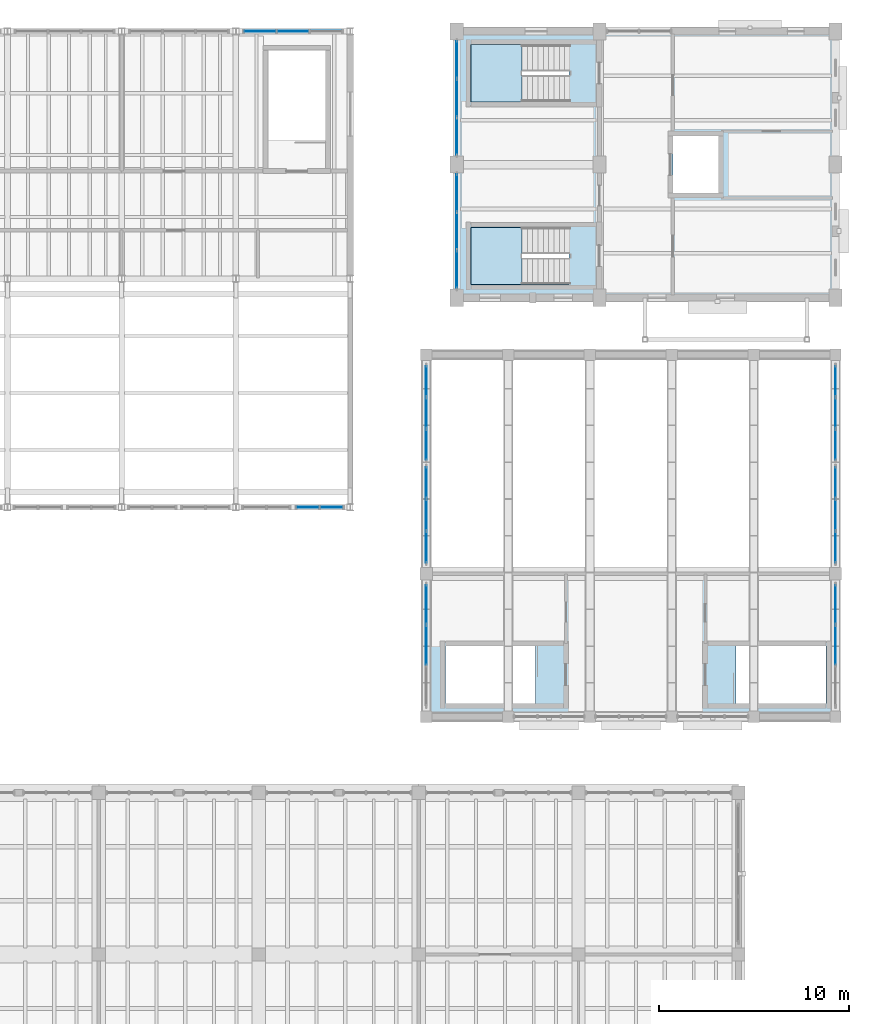
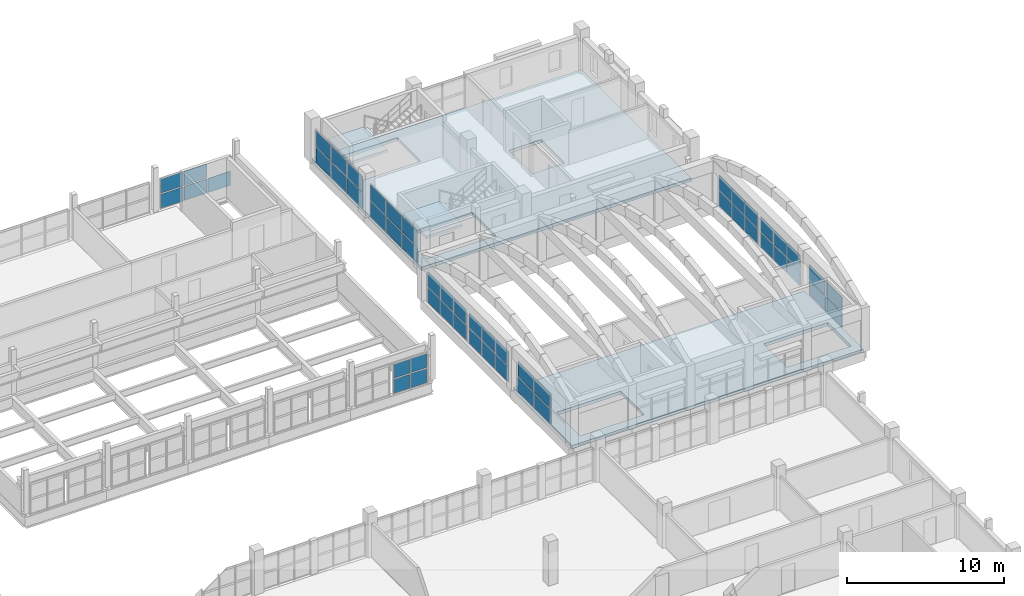
# One storey, part 55 of 77: 53 plates, 4 slabs, 12 elements without a shape of their own.
"""IFC4 building model written with IfcOpenShell, lengths in metres."""

from ifc_helpers import new_model, si_unit, direction, frame, origin, origin_2d, place, context, subcontext, project, spatial, polyline, rectangle, outline, extrude, material, layer, layer_set, type_object, element, aggregate, save


model = new_model("IFC4")

# Units and contexts
model_context = context("Model", 3, precision=1e-05, world=origin(), true_north=direction((0.0, 1.0)))
body_context = subcontext(model_context, "Body", "Model", "MODEL_VIEW")
ifc_project = project(units=[si_unit("LENGTHUNIT", "METRE"), si_unit("AREAUNIT", "SQUARE_METRE"), si_unit("VOLUMEUNIT", "CUBIC_METRE"), si_unit("PLANEANGLEUNIT", "RADIAN"), si_unit("MASSUNIT", "GRAM", prefix="KILO")], contexts=[model_context])

# Site, building, storey
site_placement = place(None, origin())
site = spatial("IfcSite", under=ifc_project, at=site_placement, CompositionType="ELEMENT")
building_placement = place(site_placement, origin())
building = spatial("IfcBuilding", under=site, at=building_placement, Name="Trellovar Central Fire Station", CompositionType="ELEMENT")
storey_placement = place(building_placement, frame((0.0, 0.0, 5.85009765625)))
storey = spatial("IfcBuildingStorey", under=building, at=storey_placement, Name="L02", CompositionType="ELEMENT", Elevation=5.85009765625)

# Curtain wall, plate
ifc_material_1 = material(Name="Thermally broken bronze anodized aluminum", Category="aluminium")
ifc_layer_1 = layer(ifc_material_1, 0.159912109375)
ifc_layer_set_1 = layer_set([ifc_layer_1], Name="Thermally broken bronze anodized aluminum")
curtain_wall_type_1 = type_object("IfcCurtainWallType", Name="CW-13", PredefinedType="NOTDEFINED", material=ifc_layer_set_1)
curtain_wall_1_placement = place(storey_placement, origin())
curtain_wall_1 = element("IfcCurtainWall", 1, at=curtain_wall_1_placement, inside=storey, type_object=curtain_wall_type_1, Name="V6 L02 north clerestory 5", PredefinedType="NOTDEFINED")
ifc_material_2 = material(Name="Double low-E solar control insulated glazing", Category="glass")
ifc_layer_2 = layer(ifc_material_2, 0.031982421875)
ifc_layer_set_2 = layer_set([ifc_layer_2], Name="Double low-E solar control insulated glazing")
plate_type_1 = type_object("IfcPlateType", Name="CWP-GL1", PredefinedType="CURTAIN_PANEL", material=ifc_layer_set_2)
plate_1_placement = place(storey_placement, frame((132.5, 73.0, 1.2138671875), z_axis=(0.0, 0.0, 1.0), x_axis=(-1.0, 0.0, 0.0)))
plate_1 = element("IfcPlate", 2, at=plate_1_placement, type_object=plate_type_1, Name="CW3-L02-0138 panel 2-2", PredefinedType="CURTAIN_PANEL", context=body_context, shape_type="SweptSolid", body=[
    extrude(rectangle(XDim=1.6533203125, YDim=0.031982421875, at=origin_2d()), origin(), (0.0, 0.0, 1.0), 1.093994140625),
])

curtain_wall_2_placement = place(storey_placement, origin())
curtain_wall_2 = element("IfcCurtainWall", 3, at=curtain_wall_2_placement, inside=storey, type_object=curtain_wall_type_1, Name="V3 L02 W auditorium clerestory S", PredefinedType="NOTDEFINED")
plate_2_placement = place(storey_placement, frame((139.5, 49.300048828125, 1.264892578125), z_axis=(0.0, 0.0, 1.0), x_axis=(0.0, 1.0, 0.0)))
plate_2 = element("IfcPlate", 4, at=plate_2_placement, type_object=plate_type_1, Name="CW3-L02-0149 panel 3-2", PredefinedType="CURTAIN_PANEL", context=body_context, shape_type="SweptSolid", body=[
    extrude(rectangle(XDim=1.6201171875, YDim=0.031982421875, at=origin_2d()), origin(), (0.0, 0.0, 1.0), 1.14501953125),
])

curtain_wall_3_placement = place(storey_placement, origin())
curtain_wall_3 = element("IfcCurtainWall", 5, at=curtain_wall_3_placement, inside=storey, type_object=curtain_wall_type_1, Name="V3 L02 W auditorium clerestory N", PredefinedType="NOTDEFINED")
plate_3_placement = place(storey_placement, frame((139.5, 52.949951171875, 1.264892578125), z_axis=(0.0, 0.0, 1.0), x_axis=(0.0, 1.0, 0.0)))
plate_3 = element("IfcPlate", 6, at=plate_3_placement, type_object=plate_type_1, Name="CW3-L02-0150 panel 2-2", PredefinedType="CURTAIN_PANEL", context=body_context, shape_type="SweptSolid", body=[
    extrude(rectangle(XDim=1.586669921875, YDim=0.031982421875, at=origin_2d()), origin(), (0.0, 0.0, 1.0), 1.14501953125),
])

curtain_wall_4_placement = place(storey_placement, origin())
curtain_wall_4 = element("IfcCurtainWall", 7, at=curtain_wall_4_placement, inside=storey, type_object=curtain_wall_type_1, Name="V3 L02 E auditorium clerestory N", PredefinedType="NOTDEFINED")
plate_4_placement = place(storey_placement, frame((161.0, 54.61669921875, 1.264892578125), z_axis=(0.0, 0.0, 1.0), x_axis=(0.0, 1.0, 0.0)))
plate_4 = element("IfcPlate", 8, at=plate_4_placement, type_object=plate_type_1, Name="CW3-L02-0153 panel 3-2", PredefinedType="CURTAIN_PANEL", context=body_context, shape_type="SweptSolid", body=[
    extrude(rectangle(XDim=1.586669921875, YDim=0.031982421875, at=origin_2d()), origin(), (0.0, 0.0, 1.0), 1.14501953125),
])

ifc_material_3 = material(Name="Thermally broken bronze anodized aluminum", Category="aluminium")
ifc_layer_3 = layer(ifc_material_3, 0.159912109375)
ifc_layer_set_3 = layer_set([ifc_layer_3], Name="Thermally broken bronze anodized aluminum")
curtain_wall_type_2 = type_object("IfcCurtainWallType", Name="CW-07", PredefinedType="NOTDEFINED", material=ifc_layer_set_3)
curtain_wall_5_placement = place(storey_placement, origin())
curtain_wall_5 = element("IfcCurtainWall", 9, at=curtain_wall_5_placement, inside=storey, type_object=curtain_wall_type_2, Name="V2 L02 west drill yard curtain wall", PredefinedType="NOTDEFINED")
plate_5_placement = place(storey_placement, frame((141.10009765625, 64.513427734375, 1.31494140625), z_axis=(0.0, 0.0, 1.0), x_axis=(0.0, 1.0, 0.0)))
plate_5 = element("IfcPlate", 10, at=plate_5_placement, type_object=plate_type_1, Name="CW3-L02-0157 panel 3-2", PredefinedType="CURTAIN_PANEL", context=body_context, shape_type="SweptSolid", body=[
    extrude(rectangle(XDim=1.933349609375, YDim=0.031982421875, at=origin_2d()), origin(), (0.0, 0.0, 1.0), 1.195068359375),
])

curtain_wall_6_placement = place(storey_placement, origin())
curtain_wall_6 = element("IfcCurtainWall", 11, at=curtain_wall_6_placement, inside=storey, type_object=curtain_wall_type_2, Name="V2 L02 west drill yard curtain wall", PredefinedType="NOTDEFINED")
plate_6_placement = place(storey_placement, frame((141.10009765625, 69.5, 1.31494140625), z_axis=(0.0, 0.0, 1.0), x_axis=(0.0, 1.0, 0.0)))
plate_6 = element("IfcPlate", 12, at=plate_6_placement, type_object=plate_type_1, Name="CW3-L02-0158 panel 2-2", PredefinedType="CURTAIN_PANEL", context=body_context, shape_type="SweptSolid", body=[
    extrude(rectangle(XDim=1.933349609375, YDim=0.031982421875, at=origin_2d()), origin(), (0.0, 0.0, 1.0), 1.195068359375),
])

# Plate
ifc_material_4 = material(Name="Double low-E solar control insulated glazing", Category="glass")
ifc_layer_4 = layer(ifc_material_4, 0.035888671875)
ifc_layer_set_4 = layer_set([ifc_layer_4], Name="Double low-E solar control insulated glazing")
plate_type_2 = type_object("IfcPlateType", Name="CWP-GL2", PredefinedType="CURTAIN_PANEL", material=ifc_layer_set_4)
plate_7_placement = place(storey_placement, frame((130.7666015625, 73.0, 1.2138671875), z_axis=(0.0, 0.0, 1.0), x_axis=(-1.0, 0.0, 0.0)))
plate_7 = element("IfcPlate", 13, at=plate_7_placement, type_object=plate_type_2, Name="CW3-L02-0138 panel 3-2", PredefinedType="CURTAIN_PANEL", context=body_context, shape_type="SweptSolid", body=[
    extrude(rectangle(XDim=1.6533203125, YDim=0.035888671875, at=origin_2d()), origin(), (0.0, 0.0, 1.0), 1.093994140625),
])

plate_8_placement = place(storey_placement, frame((139.5, 54.61669921875, 1.264892578125), z_axis=(0.0, 0.0, 1.0), x_axis=(0.0, 1.0, 0.0)))
plate_8 = element("IfcPlate", 14, at=plate_8_placement, type_object=plate_type_2, Name="CW3-L02-0150 panel 3-2", PredefinedType="CURTAIN_PANEL", context=body_context, shape_type="SweptSolid", body=[
    extrude(rectangle(XDim=1.586669921875, YDim=0.035888671875, at=origin_2d()), origin(), (0.0, 0.0, 1.0), 1.14501953125),
])

# Curtain wall, plate
ifc_material_5 = material(Name="Thermally broken bronze anodized aluminum", Category="aluminium")
ifc_layer_5 = layer(ifc_material_5, 0.159912109375)
ifc_layer_set_5 = layer_set([ifc_layer_5], Name="Thermally broken bronze anodized aluminum")
curtain_wall_type_3 = type_object("IfcCurtainWallType", Name="CW-12", PredefinedType="NOTDEFINED", material=ifc_layer_set_5)
curtain_wall_7_placement = place(storey_placement, origin())
curtain_wall_7 = element("IfcCurtainWall", 15, at=curtain_wall_7_placement, inside=storey, type_object=curtain_wall_type_3, Name="V3 L02 E gallery CW", PredefinedType="NOTDEFINED")
plate_9_placement = place(storey_placement, frame((161.0, 40.75, 1.264892578125), z_axis=(0.0, 0.0, 1.0), x_axis=(0.0, 1.0, 0.0)))
plate_9 = element("IfcPlate", 16, at=plate_9_placement, type_object=plate_type_2, Name="CW3-L02-0151 panel 2-2", PredefinedType="CURTAIN_PANEL", context=body_context, shape_type="SweptSolid", body=[
    extrude(rectangle(XDim=2.053466796875, YDim=0.035888671875, at=origin_2d()), origin(), (0.0, 0.0, 1.0), 1.14501953125),
])

curtain_wall_8_placement = place(storey_placement, origin())
curtain_wall_8 = element("IfcCurtainWall", 17, at=curtain_wall_8_placement, inside=storey, type_object=curtain_wall_type_1, Name="V3 L02 E auditorium clerestory S", PredefinedType="NOTDEFINED")
plate_10_placement = place(storey_placement, frame((161.0, 45.89990234375, 1.264892578125), z_axis=(0.0, 0.0, 1.0), x_axis=(0.0, 1.0, 0.0)))
plate_10 = element("IfcPlate", 18, at=plate_10_placement, type_object=plate_type_2, Name="CW3-L02-0152 panel 1-2", PredefinedType="CURTAIN_PANEL", context=body_context, shape_type="SweptSolid", body=[
    extrude(rectangle(XDim=1.6201171875, YDim=0.035888671875, at=origin_2d()), origin(), (0.0, 0.0, 1.0), 1.14501953125),
])

# Plate
plate_11_placement = place(storey_placement, frame((141.10009765625, 71.513427734375, 1.31494140625), z_axis=(0.0, 0.0, 1.0), x_axis=(0.0, 1.0, 0.0)))
plate_11 = element("IfcPlate", 19, at=plate_11_placement, type_object=plate_type_2, Name="CW3-L02-0158 panel 3-2", PredefinedType="CURTAIN_PANEL", context=body_context, shape_type="SweptSolid", body=[
    extrude(rectangle(XDim=1.933349609375, YDim=0.035888671875, at=origin_2d()), origin(), (0.0, 0.0, 1.0), 1.195068359375),
])

# Curtain wall, plate
ifc_material_6 = material(Name="Thermally broken bronze anodized aluminum", Category="aluminium")
ifc_layer_6 = layer(ifc_material_6, 0.159912109375)
ifc_layer_set_6 = layer_set([ifc_layer_6], Name="Thermally broken bronze anodized aluminum")
curtain_wall_type_4 = type_object("IfcCurtainWallType", Name="CW-08", PredefinedType="NOTDEFINED", material=ifc_layer_set_6)
curtain_wall_9_placement = place(storey_placement, origin())
curtain_wall_9 = element("IfcCurtainWall", 20, at=curtain_wall_9_placement, inside=storey, type_object=curtain_wall_type_4, Name="V6 workshop upper clerestory 5B", PredefinedType="NOTDEFINED")
ifc_material_7 = material(Name="Double low-E solar control insulated glazing", Category="glass")
ifc_layer_7 = layer(ifc_material_7, 0.033935546875)
ifc_layer_set_7 = layer_set([ifc_layer_7], Name="Double low-E solar control insulated glazing")
plate_type_3 = type_object("IfcPlateType", Name="CWP-GL3", PredefinedType="CURTAIN_PANEL", material=ifc_layer_set_7)
plate_12_placement = place(storey_placement, frame((133.27490234375, 48.0, 0.96484375), z_axis=(0.0, 0.0, 1.0), x_axis=(1.0, 0.0, 0.0)))
plate_12 = element("IfcPlate", 21, at=plate_12_placement, type_object=plate_type_3, Name="CW3-L02-0137 panel 1-2", PredefinedType="CURTAIN_PANEL", context=body_context, shape_type="SweptSolid", body=[
    extrude(rectangle(XDim=1.169921875, YDim=0.033935546875, at=origin_2d()), origin(), (0.0, 0.0, 1.0), 1.094970703125),
])

curtain_wall_10_placement = place(storey_placement, origin())
curtain_wall_10 = element("IfcCurtainWall", 22, at=curtain_wall_10_placement, inside=storey, type_object=curtain_wall_type_3, Name="V3 L02 W gallery CW", PredefinedType="NOTDEFINED")
plate_13_placement = place(storey_placement, frame((139.5, 40.75, 1.264892578125), z_axis=(0.0, 0.0, 1.0), x_axis=(0.0, 1.0, 0.0)))
plate_13 = element("IfcPlate", 23, at=plate_13_placement, type_object=plate_type_3, Name="CW3-L02-0148 panel 2-2", PredefinedType="CURTAIN_PANEL", context=body_context, shape_type="SweptSolid", body=[
    extrude(rectangle(XDim=2.053466796875, YDim=0.033935546875, at=origin_2d()), origin(), (0.0, 0.0, 1.0), 1.14501953125),
])

# Plate
plate_14_placement = place(storey_placement, frame((139.5, 45.89990234375, 1.264892578125), z_axis=(0.0, 0.0, 1.0), x_axis=(0.0, 1.0, 0.0)))
plate_14 = element("IfcPlate", 24, at=plate_14_placement, type_object=plate_type_3, Name="CW3-L02-0149 panel 1-2", PredefinedType="CURTAIN_PANEL", context=body_context, shape_type="SweptSolid", body=[
    extrude(rectangle(XDim=1.6201171875, YDim=0.033935546875, at=origin_2d()), origin(), (0.0, 0.0, 1.0), 1.14501953125),
])

plate_15_placement = place(storey_placement, frame((161.0, 42.88330078125, 1.264892578125), z_axis=(0.0, 0.0, 1.0), x_axis=(0.0, 1.0, 0.0)))
plate_15 = element("IfcPlate", 25, at=plate_15_placement, type_object=plate_type_3, Name="CW3-L02-0151 panel 3-2", PredefinedType="CURTAIN_PANEL", context=body_context, shape_type="SweptSolid", body=[
    extrude(rectangle(XDim=2.05322265625, YDim=0.033935546875, at=origin_2d()), origin(), (0.0, 0.0, 1.0), 1.14501953125),
])

plate_16_placement = place(storey_placement, frame((161.0, 47.60009765625, 1.264892578125), z_axis=(0.0, 0.0, 1.0), x_axis=(0.0, 1.0, 0.0)))
plate_16 = element("IfcPlate", 26, at=plate_16_placement, type_object=plate_type_3, Name="CW3-L02-0152 panel 2-2", PredefinedType="CURTAIN_PANEL", context=body_context, shape_type="SweptSolid", body=[
    extrude(rectangle(XDim=1.6201171875, YDim=0.033935546875, at=origin_2d()), origin(), (0.0, 0.0, 1.0), 1.14501953125),
])

plate_17_placement = place(storey_placement, frame((161.0, 51.283447265625, 1.264892578125), z_axis=(0.0, 0.0, 1.0), x_axis=(0.0, 1.0, 0.0)))
plate_17 = element("IfcPlate", 27, at=plate_17_placement, type_object=plate_type_3, Name="CW3-L02-0153 panel 1-2", PredefinedType="CURTAIN_PANEL", context=body_context, shape_type="SweptSolid", body=[
    extrude(rectangle(XDim=1.586669921875, YDim=0.033935546875, at=origin_2d()), origin(), (0.0, 0.0, 1.0), 1.14501953125),
])

plate_18_placement = place(storey_placement, frame((141.10009765625, 60.486572265625, 1.31494140625), z_axis=(0.0, 0.0, 1.0), x_axis=(0.0, 1.0, 0.0)))
plate_18 = element("IfcPlate", 28, at=plate_18_placement, type_object=plate_type_3, Name="CW3-L02-0157 panel 1-2", PredefinedType="CURTAIN_PANEL", context=body_context, shape_type="SweptSolid", body=[
    extrude(rectangle(XDim=1.933349609375, YDim=0.033935546875, at=origin_2d()), origin(), (0.0, 0.0, 1.0), 1.195068359375),
])

ifc_material_8 = material(Name="Double low-E solar control insulated glazing", Category="glass")
ifc_layer_8 = layer(ifc_material_8, 0.030029296875)
ifc_layer_set_8 = layer_set([ifc_layer_8], Name="Double low-E solar control insulated glazing")
plate_type_4 = type_object("IfcPlateType", Name="CWP-GL4", PredefinedType="CURTAIN_PANEL", material=ifc_layer_set_8)
plate_19_placement = place(storey_placement, frame((134.52490234375, 48.0, 0.96484375), z_axis=(0.0, 0.0, 1.0), x_axis=(1.0, 0.0, 0.0)))
plate_19 = element("IfcPlate", 29, at=plate_19_placement, type_object=plate_type_4, Name="CW3-L02-0137 panel 2-2", PredefinedType="CURTAIN_PANEL", context=body_context, shape_type="SweptSolid", body=[
    extrude(rectangle(XDim=1.169921875, YDim=0.030029296875, at=origin_2d()), origin(), (0.0, 0.0, 1.0), 1.094970703125),
])

plate_20_placement = place(storey_placement, frame((139.5, 42.88330078125, 1.264892578125), z_axis=(0.0, 0.0, 1.0), x_axis=(0.0, 1.0, 0.0)))
plate_20 = element("IfcPlate", 30, at=plate_20_placement, type_object=plate_type_4, Name="CW3-L02-0148 panel 3-2", PredefinedType="CURTAIN_PANEL", context=body_context, shape_type="SweptSolid", body=[
    extrude(rectangle(XDim=2.05322265625, YDim=0.030029296875, at=origin_2d()), origin(), (0.0, 0.0, 1.0), 1.14501953125),
])

plate_21_placement = place(storey_placement, frame((139.5, 47.60009765625, 1.264892578125), z_axis=(0.0, 0.0, 1.0), x_axis=(0.0, 1.0, 0.0)))
plate_21 = element("IfcPlate", 31, at=plate_21_placement, type_object=plate_type_4, Name="CW3-L02-0149 panel 2-2", PredefinedType="CURTAIN_PANEL", context=body_context, shape_type="SweptSolid", body=[
    extrude(rectangle(XDim=1.6201171875, YDim=0.030029296875, at=origin_2d()), origin(), (0.0, 0.0, 1.0), 1.14501953125),
])

plate_22_placement = place(storey_placement, frame((139.5, 51.283447265625, 1.264892578125), z_axis=(0.0, 0.0, 1.0), x_axis=(0.0, 1.0, 0.0)))
plate_22 = element("IfcPlate", 32, at=plate_22_placement, type_object=plate_type_4, Name="CW3-L02-0150 panel 1-2", PredefinedType="CURTAIN_PANEL", context=body_context, shape_type="SweptSolid", body=[
    extrude(rectangle(XDim=1.586669921875, YDim=0.030029296875, at=origin_2d()), origin(), (0.0, 0.0, 1.0), 1.14501953125),
])

plate_23_placement = place(storey_placement, frame((161.0, 49.300048828125, 1.264892578125), z_axis=(0.0, 0.0, 1.0), x_axis=(0.0, 1.0, 0.0)))
plate_23 = element("IfcPlate", 33, at=plate_23_placement, type_object=plate_type_4, Name="CW3-L02-0152 panel 3-2", PredefinedType="CURTAIN_PANEL", context=body_context, shape_type="SweptSolid", body=[
    extrude(rectangle(XDim=1.6201171875, YDim=0.030029296875, at=origin_2d()), origin(), (0.0, 0.0, 1.0), 1.14501953125),
])

plate_24_placement = place(storey_placement, frame((161.0, 52.949951171875, 1.264892578125), z_axis=(0.0, 0.0, 1.0), x_axis=(0.0, 1.0, 0.0)))
plate_24 = element("IfcPlate", 34, at=plate_24_placement, type_object=plate_type_4, Name="CW3-L02-0153 panel 2-2", PredefinedType="CURTAIN_PANEL", context=body_context, shape_type="SweptSolid", body=[
    extrude(rectangle(XDim=1.586669921875, YDim=0.030029296875, at=origin_2d()), origin(), (0.0, 0.0, 1.0), 1.14501953125),
])

plate_25_placement = place(storey_placement, frame((141.10009765625, 62.5, 1.31494140625), z_axis=(0.0, 0.0, 1.0), x_axis=(0.0, 1.0, 0.0)))
plate_25 = element("IfcPlate", 35, at=plate_25_placement, type_object=plate_type_4, Name="CW3-L02-0157 panel 2-2", PredefinedType="CURTAIN_PANEL", context=body_context, shape_type="SweptSolid", body=[
    extrude(rectangle(XDim=1.933349609375, YDim=0.030029296875, at=origin_2d()), origin(), (0.0, 0.0, 1.0), 1.195068359375),
])

plate_26_placement = place(storey_placement, frame((141.10009765625, 67.486572265625, 1.31494140625), z_axis=(0.0, 0.0, 1.0), x_axis=(0.0, 1.0, 0.0)))
plate_26 = element("IfcPlate", 36, at=plate_26_placement, type_object=plate_type_4, Name="CW3-L02-0158 panel 1-2", PredefinedType="CURTAIN_PANEL", context=body_context, shape_type="SweptSolid", body=[
    extrude(rectangle(XDim=1.933349609375, YDim=0.030029296875, at=origin_2d()), origin(), (0.0, 0.0, 1.0), 1.195068359375),
])

ifc_material_9 = material(Name="Glazed ceramic trencadis and terracotta panel", Category="masonry")
ifc_layer_9 = layer(ifc_material_9, 0.048095703125)
ifc_layer_set_9 = layer_set([ifc_layer_9], Name="Glazed ceramic trencadis and terracotta panel")
plate_type_5 = type_object("IfcPlateType", Name="CWP-SP1", PredefinedType="CURTAIN_PANEL", material=ifc_layer_set_9)
plate_27_placement = place(storey_placement, frame((134.52490234375, 48.0, -0.2099609375), z_axis=(0.0, 0.0, 1.0), x_axis=(1.0, 0.0, 0.0)))
plate_27 = element("IfcPlate", 37, at=plate_27_placement, type_object=plate_type_5, Name="CW3-L02-0137 panel 2-1", PredefinedType="CURTAIN_PANEL", context=body_context, shape_type="SweptSolid", body=[
    extrude(rectangle(XDim=1.169921875, YDim=0.048095703125, at=origin_2d()), origin(), (0.0, 0.0, 1.0), 1.094970703125),
])

plate_28_placement = place(storey_placement, frame((134.2333984375, 73.0, 0.0400390625), z_axis=(0.0, 0.0, 1.0), x_axis=(-1.0, 0.0, 0.0)))
plate_28 = element("IfcPlate", 38, at=plate_28_placement, type_object=plate_type_5, Name="CW3-L02-0138 panel 1-1", PredefinedType="CURTAIN_PANEL", context=body_context, shape_type="SweptSolid", body=[
    extrude(rectangle(XDim=1.6533203125, YDim=0.048095703125, at=origin_2d()), origin(), (0.0, 0.0, 1.0), 1.093994140625),
])

plate_29_placement = place(storey_placement, frame((130.7666015625, 73.0, 0.0400390625), z_axis=(0.0, 0.0, 1.0), x_axis=(-1.0, 0.0, 0.0)))
plate_29 = element("IfcPlate", 39, at=plate_29_placement, type_object=plate_type_5, Name="CW3-L02-0138 panel 3-1", PredefinedType="CURTAIN_PANEL", context=body_context, shape_type="SweptSolid", body=[
    extrude(rectangle(XDim=1.6533203125, YDim=0.048095703125, at=origin_2d()), origin(), (0.0, 0.0, 1.0), 1.093994140625),
])

plate_30_placement = place(storey_placement, frame((139.5, 42.88330078125, 0.039794921875), z_axis=(0.0, 0.0, 1.0), x_axis=(0.0, 1.0, 0.0)))
plate_30 = element("IfcPlate", 40, at=plate_30_placement, type_object=plate_type_5, Name="CW3-L02-0148 panel 3-1", PredefinedType="CURTAIN_PANEL", context=body_context, shape_type="SweptSolid", body=[
    extrude(rectangle(XDim=2.05322265625, YDim=0.048095703125, at=origin_2d()), origin(), (0.0, 0.0, 1.0), 1.14501953125),
])

plate_31_placement = place(storey_placement, frame((139.5, 47.60009765625, 0.039794921875), z_axis=(0.0, 0.0, 1.0), x_axis=(0.0, 1.0, 0.0)))
plate_31 = element("IfcPlate", 41, at=plate_31_placement, type_object=plate_type_5, Name="CW3-L02-0149 panel 2-1", PredefinedType="CURTAIN_PANEL", context=body_context, shape_type="SweptSolid", body=[
    extrude(rectangle(XDim=1.6201171875, YDim=0.048095703125, at=origin_2d()), origin(), (0.0, 0.0, 1.0), 1.14501953125),
])

plate_32_placement = place(storey_placement, frame((139.5, 51.283447265625, 0.039794921875), z_axis=(0.0, 0.0, 1.0), x_axis=(0.0, 1.0, 0.0)))
plate_32 = element("IfcPlate", 42, at=plate_32_placement, type_object=plate_type_5, Name="CW3-L02-0150 panel 1-1", PredefinedType="CURTAIN_PANEL", context=body_context, shape_type="SweptSolid", body=[
    extrude(rectangle(XDim=1.586669921875, YDim=0.048095703125, at=origin_2d()), origin(), (0.0, 0.0, 1.0), 1.14501953125),
])

plate_33_placement = place(storey_placement, frame((139.5, 54.61669921875, 0.039794921875), z_axis=(0.0, 0.0, 1.0), x_axis=(0.0, 1.0, 0.0)))
plate_33 = element("IfcPlate", 43, at=plate_33_placement, type_object=plate_type_5, Name="CW3-L02-0150 panel 3-1", PredefinedType="CURTAIN_PANEL", context=body_context, shape_type="SweptSolid", body=[
    extrude(rectangle(XDim=1.586669921875, YDim=0.048095703125, at=origin_2d()), origin(), (0.0, 0.0, 1.0), 1.14501953125),
])

plate_34_placement = place(storey_placement, frame((161.0, 40.75, 0.039794921875), z_axis=(0.0, 0.0, 1.0), x_axis=(0.0, 1.0, 0.0)))
plate_34 = element("IfcPlate", 44, at=plate_34_placement, type_object=plate_type_5, Name="CW3-L02-0151 panel 2-1", PredefinedType="CURTAIN_PANEL", context=body_context, shape_type="SweptSolid", body=[
    extrude(rectangle(XDim=2.053466796875, YDim=0.048095703125, at=origin_2d()), origin(), (0.0, 0.0, 1.0), 1.14501953125),
])

plate_35_placement = place(storey_placement, frame((161.0, 45.89990234375, 0.039794921875), z_axis=(0.0, 0.0, 1.0), x_axis=(0.0, 1.0, 0.0)))
plate_35 = element("IfcPlate", 45, at=plate_35_placement, type_object=plate_type_5, Name="CW3-L02-0152 panel 1-1", PredefinedType="CURTAIN_PANEL", context=body_context, shape_type="SweptSolid", body=[
    extrude(rectangle(XDim=1.6201171875, YDim=0.048095703125, at=origin_2d()), origin(), (0.0, 0.0, 1.0), 1.14501953125),
])

plate_36_placement = place(storey_placement, frame((161.0, 49.300048828125, 0.039794921875), z_axis=(0.0, 0.0, 1.0), x_axis=(0.0, 1.0, 0.0)))
plate_36 = element("IfcPlate", 46, at=plate_36_placement, type_object=plate_type_5, Name="CW3-L02-0152 panel 3-1", PredefinedType="CURTAIN_PANEL", context=body_context, shape_type="SweptSolid", body=[
    extrude(rectangle(XDim=1.6201171875, YDim=0.048095703125, at=origin_2d()), origin(), (0.0, 0.0, 1.0), 1.14501953125),
])

plate_37_placement = place(storey_placement, frame((161.0, 52.949951171875, 0.039794921875), z_axis=(0.0, 0.0, 1.0), x_axis=(0.0, 1.0, 0.0)))
plate_37 = element("IfcPlate", 47, at=plate_37_placement, type_object=plate_type_5, Name="CW3-L02-0153 panel 2-1", PredefinedType="CURTAIN_PANEL", context=body_context, shape_type="SweptSolid", body=[
    extrude(rectangle(XDim=1.586669921875, YDim=0.048095703125, at=origin_2d()), origin(), (0.0, 0.0, 1.0), 1.14501953125),
])

plate_38_placement = place(storey_placement, frame((141.10009765625, 62.5, 0.0400390625), z_axis=(0.0, 0.0, 1.0), x_axis=(0.0, 1.0, 0.0)))
plate_38 = element("IfcPlate", 48, at=plate_38_placement, type_object=plate_type_5, Name="CW3-L02-0157 panel 2-1", PredefinedType="CURTAIN_PANEL", context=body_context, shape_type="SweptSolid", body=[
    extrude(rectangle(XDim=1.933349609375, YDim=0.048095703125, at=origin_2d()), origin(), (0.0, 0.0, 1.0), 1.195068359375),
])

plate_39_placement = place(storey_placement, frame((141.10009765625, 67.486572265625, 0.0400390625), z_axis=(0.0, 0.0, 1.0), x_axis=(0.0, 1.0, 0.0)))
plate_39 = element("IfcPlate", 49, at=plate_39_placement, type_object=plate_type_5, Name="CW3-L02-0158 panel 1-1", PredefinedType="CURTAIN_PANEL", context=body_context, shape_type="SweptSolid", body=[
    extrude(rectangle(XDim=1.933349609375, YDim=0.048095703125, at=origin_2d()), origin(), (0.0, 0.0, 1.0), 1.195068359375),
])

plate_40_placement = place(storey_placement, frame((141.10009765625, 71.513427734375, 0.0400390625), z_axis=(0.0, 0.0, 1.0), x_axis=(0.0, 1.0, 0.0)))
plate_40 = element("IfcPlate", 50, at=plate_40_placement, type_object=plate_type_5, Name="CW3-L02-0158 panel 3-1", PredefinedType="CURTAIN_PANEL", context=body_context, shape_type="SweptSolid", body=[
    extrude(rectangle(XDim=1.933349609375, YDim=0.048095703125, at=origin_2d()), origin(), (0.0, 0.0, 1.0), 1.195068359375),
])

ifc_material_10 = material(Name="Glazed ceramic trencadis and terracotta panel", Category="masonry")
ifc_layer_10 = layer(ifc_material_10, 0.044921875)
ifc_layer_set_10 = layer_set([ifc_layer_10], Name="Glazed ceramic trencadis and terracotta panel")
plate_type_6 = type_object("IfcPlateType", Name="CWP-SP2", PredefinedType="CURTAIN_PANEL", material=ifc_layer_set_10)
plate_41_placement = place(storey_placement, frame((133.27490234375, 48.0, -0.2099609375), z_axis=(0.0, 0.0, 1.0), x_axis=(1.0, 0.0, 0.0)))
plate_41 = element("IfcPlate", 51, at=plate_41_placement, type_object=plate_type_6, Name="CW3-L02-0137 panel 1-1", PredefinedType="CURTAIN_PANEL", context=body_context, shape_type="SweptSolid", body=[
    extrude(rectangle(XDim=1.169921875, YDim=0.044921875, at=origin_2d()), origin(), (0.0, 0.0, 1.0), 1.094970703125),
])

aggregate(curtain_wall_9, [plate_41, plate_12, plate_27, plate_19])

plate_42_placement = place(storey_placement, frame((132.5, 73.0, 0.0400390625), z_axis=(0.0, 0.0, 1.0), x_axis=(-1.0, 0.0, 0.0)))
plate_42 = element("IfcPlate", 52, at=plate_42_placement, type_object=plate_type_6, Name="CW3-L02-0138 panel 2-1", PredefinedType="CURTAIN_PANEL", context=body_context, shape_type="SweptSolid", body=[
    extrude(rectangle(XDim=1.6533203125, YDim=0.044921875, at=origin_2d()), origin(), (0.0, 0.0, 1.0), 1.093994140625),
])

aggregate(curtain_wall_1, [plate_28, plate_42, plate_1, plate_29, plate_7])

plate_43_placement = place(storey_placement, frame((139.5, 40.75, 0.039794921875), z_axis=(0.0, 0.0, 1.0), x_axis=(0.0, 1.0, 0.0)))
plate_43 = element("IfcPlate", 53, at=plate_43_placement, type_object=plate_type_6, Name="CW3-L02-0148 panel 2-1", PredefinedType="CURTAIN_PANEL", context=body_context, shape_type="SweptSolid", body=[
    extrude(rectangle(XDim=2.053466796875, YDim=0.044921875, at=origin_2d()), origin(), (0.0, 0.0, 1.0), 1.14501953125),
])

aggregate(curtain_wall_10, [plate_43, plate_13, plate_30, plate_20])

plate_44_placement = place(storey_placement, frame((139.5, 45.89990234375, 0.039794921875), z_axis=(0.0, 0.0, 1.0), x_axis=(0.0, 1.0, 0.0)))
plate_44 = element("IfcPlate", 54, at=plate_44_placement, type_object=plate_type_6, Name="CW3-L02-0149 panel 1-1", PredefinedType="CURTAIN_PANEL", context=body_context, shape_type="SweptSolid", body=[
    extrude(rectangle(XDim=1.6201171875, YDim=0.044921875, at=origin_2d()), origin(), (0.0, 0.0, 1.0), 1.14501953125),
])

plate_45_placement = place(storey_placement, frame((139.5, 49.300048828125, 0.039794921875), z_axis=(0.0, 0.0, 1.0), x_axis=(0.0, 1.0, 0.0)))
plate_45 = element("IfcPlate", 55, at=plate_45_placement, type_object=plate_type_6, Name="CW3-L02-0149 panel 3-1", PredefinedType="CURTAIN_PANEL", context=body_context, shape_type="SweptSolid", body=[
    extrude(rectangle(XDim=1.6201171875, YDim=0.044921875, at=origin_2d()), origin(), (0.0, 0.0, 1.0), 1.14501953125),
])

aggregate(curtain_wall_2, [plate_44, plate_14, plate_31, plate_21, plate_45, plate_2])

plate_46_placement = place(storey_placement, frame((139.5, 52.949951171875, 0.039794921875), z_axis=(0.0, 0.0, 1.0), x_axis=(0.0, 1.0, 0.0)))
plate_46 = element("IfcPlate", 56, at=plate_46_placement, type_object=plate_type_6, Name="CW3-L02-0150 panel 2-1", PredefinedType="CURTAIN_PANEL", context=body_context, shape_type="SweptSolid", body=[
    extrude(rectangle(XDim=1.586669921875, YDim=0.044921875, at=origin_2d()), origin(), (0.0, 0.0, 1.0), 1.14501953125),
])

aggregate(curtain_wall_3, [plate_32, plate_22, plate_46, plate_3, plate_33, plate_8])

plate_47_placement = place(storey_placement, frame((161.0, 42.88330078125, 0.039794921875), z_axis=(0.0, 0.0, 1.0), x_axis=(0.0, 1.0, 0.0)))
plate_47 = element("IfcPlate", 57, at=plate_47_placement, type_object=plate_type_6, Name="CW3-L02-0151 panel 3-1", PredefinedType="CURTAIN_PANEL", context=body_context, shape_type="SweptSolid", body=[
    extrude(rectangle(XDim=2.05322265625, YDim=0.044921875, at=origin_2d()), origin(), (0.0, 0.0, 1.0), 1.14501953125),
])

aggregate(curtain_wall_7, [plate_34, plate_9, plate_47, plate_15])

plate_48_placement = place(storey_placement, frame((161.0, 47.60009765625, 0.039794921875), z_axis=(0.0, 0.0, 1.0), x_axis=(0.0, 1.0, 0.0)))
plate_48 = element("IfcPlate", 58, at=plate_48_placement, type_object=plate_type_6, Name="CW3-L02-0152 panel 2-1", PredefinedType="CURTAIN_PANEL", context=body_context, shape_type="SweptSolid", body=[
    extrude(rectangle(XDim=1.6201171875, YDim=0.044921875, at=origin_2d()), origin(), (0.0, 0.0, 1.0), 1.14501953125),
])

aggregate(curtain_wall_8, [plate_35, plate_10, plate_48, plate_16, plate_36, plate_23])

plate_49_placement = place(storey_placement, frame((161.0, 51.283447265625, 0.039794921875), z_axis=(0.0, 0.0, 1.0), x_axis=(0.0, 1.0, 0.0)))
plate_49 = element("IfcPlate", 59, at=plate_49_placement, type_object=plate_type_6, Name="CW3-L02-0153 panel 1-1", PredefinedType="CURTAIN_PANEL", context=body_context, shape_type="SweptSolid", body=[
    extrude(rectangle(XDim=1.586669921875, YDim=0.044921875, at=origin_2d()), origin(), (0.0, 0.0, 1.0), 1.14501953125),
])

plate_50_placement = place(storey_placement, frame((161.0, 54.61669921875, 0.039794921875), z_axis=(0.0, 0.0, 1.0), x_axis=(0.0, 1.0, 0.0)))
plate_50 = element("IfcPlate", 60, at=plate_50_placement, type_object=plate_type_6, Name="CW3-L02-0153 panel 3-1", PredefinedType="CURTAIN_PANEL", context=body_context, shape_type="SweptSolid", body=[
    extrude(rectangle(XDim=1.586669921875, YDim=0.044921875, at=origin_2d()), origin(), (0.0, 0.0, 1.0), 1.14501953125),
])

aggregate(curtain_wall_4, [plate_49, plate_17, plate_37, plate_24, plate_50, plate_4])

plate_51_placement = place(storey_placement, frame((141.10009765625, 60.486572265625, 0.0400390625), z_axis=(0.0, 0.0, 1.0), x_axis=(0.0, 1.0, 0.0)))
plate_51 = element("IfcPlate", 61, at=plate_51_placement, type_object=plate_type_6, Name="CW3-L02-0157 panel 1-1", PredefinedType="CURTAIN_PANEL", context=body_context, shape_type="SweptSolid", body=[
    extrude(rectangle(XDim=1.933349609375, YDim=0.044921875, at=origin_2d()), origin(), (0.0, 0.0, 1.0), 1.195068359375),
])

plate_52_placement = place(storey_placement, frame((141.10009765625, 64.513427734375, 0.0400390625), z_axis=(0.0, 0.0, 1.0), x_axis=(0.0, 1.0, 0.0)))
plate_52 = element("IfcPlate", 62, at=plate_52_placement, type_object=plate_type_6, Name="CW3-L02-0157 panel 3-1", PredefinedType="CURTAIN_PANEL", context=body_context, shape_type="SweptSolid", body=[
    extrude(rectangle(XDim=1.933349609375, YDim=0.044921875, at=origin_2d()), origin(), (0.0, 0.0, 1.0), 1.195068359375),
])

aggregate(curtain_wall_5, [plate_51, plate_18, plate_38, plate_25, plate_52, plate_5])

plate_53_placement = place(storey_placement, frame((141.10009765625, 69.5, 0.0400390625), z_axis=(0.0, 0.0, 1.0), x_axis=(0.0, 1.0, 0.0)))
plate_53 = element("IfcPlate", 63, at=plate_53_placement, type_object=plate_type_6, Name="CW3-L02-0158 panel 2-1", PredefinedType="CURTAIN_PANEL", context=body_context, shape_type="SweptSolid", body=[
    extrude(rectangle(XDim=1.933349609375, YDim=0.044921875, at=origin_2d()), origin(), (0.0, 0.0, 1.0), 1.195068359375),
])

aggregate(curtain_wall_6, [plate_39, plate_26, plate_53, plate_6, plate_40, plate_11])

# Slabs
ifc_material_11 = material(Name="Concrete C40/50", Category="concrete")
ifc_layer_11 = layer(ifc_material_11, 0.25)
ifc_layer_set_11 = layer_set([ifc_layer_11], Name="Concrete C40/50")
slab_type_1 = type_object("IfcSlabType", Name="SLB-FL250", PredefinedType="FLOOR", material=ifc_layer_set_11)
slab_1_placement = place(storey_placement, frame((0.0, 0.0, -0.25)))
element("IfcSlab", 64, at=slab_1_placement, inside=storey, type_object=slab_type_1, Name="V3 L02 projection and control gallery slab", PredefinedType="FLOOR", context=body_context, shape_type="SweptSolid", body=[
    extrude(outline(polyline([(139.5, 37.0), (161.0, 37.0), (161.0, 44.5), (139.5, 44.5), (139.5, 37.0)]), holes=[polyline([(145.239990234375, 40.699951171875), (140.5, 40.699951171875), (140.5, 37.699951171875), (145.239990234375, 37.699951171875), (145.239990234375, 40.699951171875)]), polyline([(155.760009765625, 37.699951171875), (160.5, 37.699951171875), (160.5, 40.699951171875), (155.760009765625, 40.699951171875), (155.760009765625, 37.699951171875)])]), origin(), (0.0, 0.0, 1.0), 0.25),
])
slab_2_placement = place(storey_placement, frame((0.0, 0.0, -0.25)))
element("IfcSlab", 65, at=slab_2_placement, inside=storey, type_object=slab_type_1, Name="V2 Drill Tower L02 training deck slab", PredefinedType="FLOOR", context=body_context, shape_type="SweptSolid", body=[
    extrude(outline(polyline([(141.10009765625, 59.0), (161.0, 59.0), (161.0, 73.0), (141.10009765625, 73.0), (141.10009765625, 59.0)]), holes=[polyline([(146.989990234375, 62.699951171875), (141.85009765625, 62.699951171875), (141.85009765625, 59.699951171875), (146.989990234375, 59.699951171875), (146.989990234375, 62.699951171875)]), polyline([(146.989990234375, 72.300048828125), (141.85009765625, 72.300048828125), (141.85009765625, 69.300048828125), (146.989990234375, 69.300048828125), (146.989990234375, 72.300048828125)]), polyline([(152.449951171875, 64.5), (154.85009765625, 64.5), (154.85009765625, 67.5), (152.449951171875, 67.5), (152.449951171875, 64.5)])]), origin(), (0.0, 0.0, 1.0), 0.25),
])

# Stair, slab
ifc_material_12 = material(Name="Concrete C40/50", Category="concrete")
stair_type = type_object("IfcStairType", Name="ST-R1725", PredefinedType="HALF_TURN_STAIR", material=ifc_material_12)
stair_1_placement = place(storey_placement, origin())
stair_1 = element("IfcStair", 66, at=stair_1_placement, inside=storey, type_object=stair_type, Name="L02 Protected exit stair ST-05", PredefinedType="HALF_TURN_STAIR")
ifc_material_13 = material(Name="Concrete C40/50", Category="concrete")
ifc_layer_12 = layer(ifc_material_13, 0.199951171875)
ifc_layer_set_12 = layer_set([ifc_layer_12], Name="Concrete C40/50")
slab_type_2 = type_object("IfcSlabType", Name="SLB-LND", PredefinedType="LANDING", material=ifc_layer_set_12)
slab_3_placement = place(storey_placement, frame((0.0, 0.0, 1.52490234375)))
slab_3 = element("IfcSlab", 67, at=slab_3_placement, type_object=slab_type_2, Name="ST-05 landing 1", PredefinedType="LANDING", context=body_context, shape_type="SweptSolid", body=[
    extrude(outline(polyline([(144.530029296875, 62.699951171875), (141.85009765625, 62.699951171875), (141.85009765625, 59.699951171875), (144.530029296875, 59.699951171875), (144.530029296875, 62.699951171875)])), origin(), (0.0, 0.0, 1.0), 0.199951171875),
])
aggregate(stair_1, [slab_3])

stair_2_placement = place(storey_placement, origin())
stair_2 = element("IfcStair", 68, at=stair_2_placement, inside=storey, type_object=stair_type, Name="L02 Protected exit stair ST-06", PredefinedType="HALF_TURN_STAIR")
slab_4_placement = place(storey_placement, frame((0.0, 0.0, 1.52490234375)))
slab_4 = element("IfcSlab", 69, at=slab_4_placement, type_object=slab_type_2, Name="ST-06 landing 1", PredefinedType="LANDING", context=body_context, shape_type="SweptSolid", body=[
    extrude(outline(polyline([(144.530029296875, 72.300048828125), (141.85009765625, 72.300048828125), (141.85009765625, 69.300048828125), (144.530029296875, 69.300048828125), (144.530029296875, 72.300048828125)])), origin(), (0.0, 0.0, 1.0), 0.199951171875),
])
aggregate(stair_2, [slab_4])

save(model, "model.ifc")
